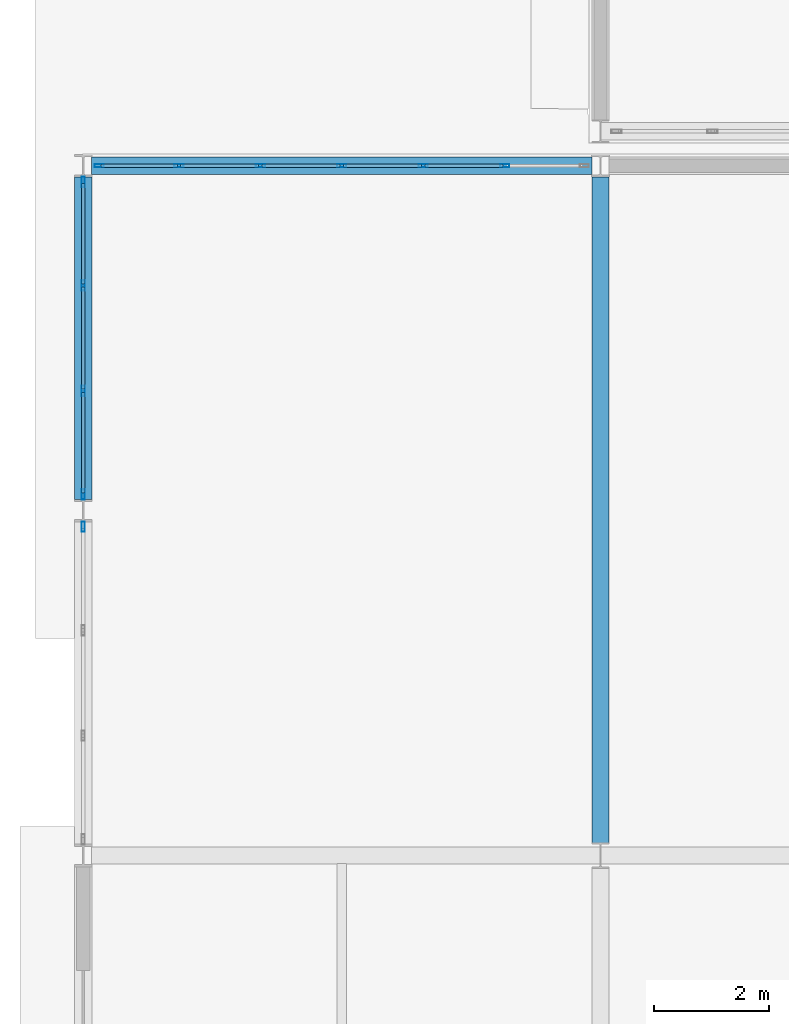
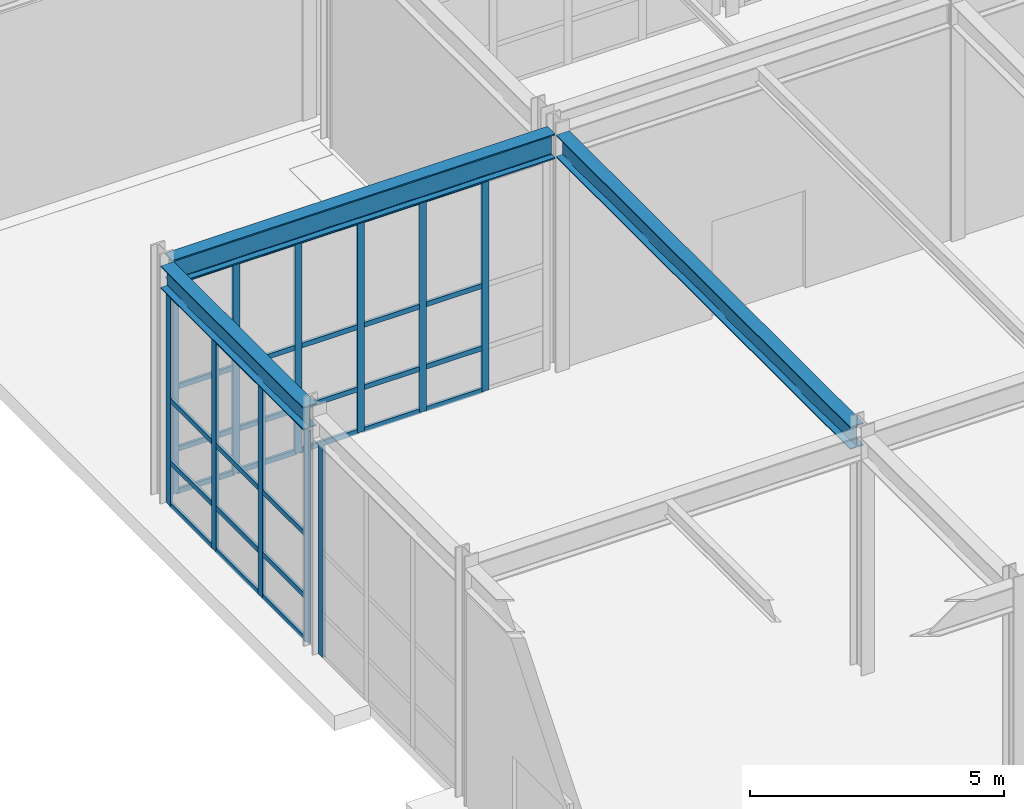
# One storey, part 27 of 146: 43 members, 3 beams, 3 elements without a shape of their own.
"""IFC4 building model written with IfcOpenShell, lengths in metres."""

from ifc_helpers import new_model, si_unit, direction, frame, origin, origin_2d, place, context, subcontext, project, spatial, hollow_rectangle, i_section, extrude, material, material_profile, profile_set, type_object, element, aggregate, save


model = new_model("IFC4")

# Units and contexts
model_context = context("Model", 3, precision=1e-05, world=origin(), true_north=direction((0.0, 1.0)))
body_context = subcontext(model_context, "Body", "Model", "MODEL_VIEW")
ifc_project = project(units=[si_unit("LENGTHUNIT", "METRE"), si_unit("AREAUNIT", "SQUARE_METRE"), si_unit("VOLUMEUNIT", "CUBIC_METRE"), si_unit("PLANEANGLEUNIT", "RADIAN"), si_unit("MASSUNIT", "GRAM", prefix="KILO")], contexts=[model_context])

# Site, building, storey
site_placement = place(None, origin())
site = spatial("IfcSite", under=ifc_project, at=site_placement, CompositionType="ELEMENT")
building_placement = place(site_placement, origin())
building = spatial("IfcBuilding", under=site, at=building_placement, Name="Kaldris Quays Convention Centre", CompositionType="ELEMENT")
storey_placement = place(building_placement, origin())
storey = spatial("IfcBuildingStorey", under=building, at=storey_placement, Name="L00", CompositionType="ELEMENT", Elevation=0.0)

# Curtain wall, members
ifc_material_1 = material(Name="Anodized aluminium AW-6060 and triple glazing", Category="aluminium")
curtain_wall_type_1 = type_object("IfcCurtainWallType", Name="UNITISED CURTAIN WALL CW01", PredefinedType="NOTDEFINED", material=ifc_material_1)
curtain_wall_1_placement = place(storey_placement, origin())
curtain_wall_1 = element("IfcCurtainWall", 1, at=curtain_wall_1_placement, inside=storey, type_object=curtain_wall_type_1, Name="L00 Unitised Curtain Wall CW01 44", PredefinedType="NOTDEFINED")
ifc_material_2 = material(Name="Anodized aluminium AW-6060", Category="aluminium")
ifc_material_profile_1 = material_profile(ifc_material_2, hollow_rectangle(XDim=0.06005859375, YDim=0.159912109375, WallThickness=0.00390625, at=origin_2d()), Name="RHS 160x60x4")
ifc_profile_set_1 = profile_set([ifc_material_profile_1], Name="Anodized aluminium AW-6060")
member_type_1 = type_object("IfcMemberType", Name="CURTAIN MULLION CWM1", PredefinedType="MULLION", material=ifc_profile_set_1)
member_1_placement = place(storey_placement, frame((20.280029296875, 46.0, 0.0), z_axis=(0.0, 0.0, 1.0), x_axis=(0.0, 1.0, 0.0)))
member_1 = element("IfcMember", 2, at=member_1_placement, type_object=member_type_1, Name="CW01 mullion 1", PredefinedType="MULLION", context=body_context, shape_type="SweptSolid", body=[
    extrude(hollow_rectangle(XDim=0.06005859375, YDim=0.159912109375, WallThickness=0.00390625, at=origin_2d()), origin(), (0.0, 0.0, 1.0), 5.097900390625),
])
member_2_placement = place(storey_placement, frame((21.666748046875, 46.0, 0.0), z_axis=(0.0, 0.0, 1.0), x_axis=(0.0, 1.0, 0.0)))
member_2 = element("IfcMember", 3, at=member_2_placement, type_object=member_type_1, Name="CW01 mullion 2", PredefinedType="MULLION", context=body_context, shape_type="SweptSolid", body=[
    extrude(hollow_rectangle(XDim=0.06005859375, YDim=0.159912109375, WallThickness=0.00390625, at=origin_2d()), origin(), (0.0, 0.0, 1.0), 5.097900390625),
])
member_3_placement = place(storey_placement, frame((23.083251953125, 46.0, 0.0), z_axis=(0.0, 0.0, 1.0), x_axis=(0.0, 1.0, 0.0)))
member_3 = element("IfcMember", 4, at=member_3_placement, type_object=member_type_1, Name="CW01 mullion 3", PredefinedType="MULLION", context=body_context, shape_type="SweptSolid", body=[
    extrude(hollow_rectangle(XDim=0.06005859375, YDim=0.159912109375, WallThickness=0.00390625, at=origin_2d()), origin(), (0.0, 0.0, 1.0), 5.097900390625),
])
member_4_placement = place(storey_placement, frame((24.5, 46.0, 0.0), z_axis=(0.0, 0.0, 1.0), x_axis=(0.0, 1.0, 0.0)))
member_4 = element("IfcMember", 5, at=member_4_placement, type_object=member_type_1, Name="CW01 mullion 4", PredefinedType="MULLION", context=body_context, shape_type="SweptSolid", body=[
    extrude(hollow_rectangle(XDim=0.06005859375, YDim=0.159912109375, WallThickness=0.00390625, at=origin_2d()), origin(), (0.0, 0.0, 1.0), 5.097900390625),
])
member_5_placement = place(storey_placement, frame((25.916748046875, 46.0, 0.0), z_axis=(0.0, 0.0, 1.0), x_axis=(0.0, 1.0, 0.0)))
member_5 = element("IfcMember", 6, at=member_5_placement, type_object=member_type_1, Name="CW01 mullion 5", PredefinedType="MULLION", context=body_context, shape_type="SweptSolid", body=[
    extrude(hollow_rectangle(XDim=0.06005859375, YDim=0.159912109375, WallThickness=0.00390625, at=origin_2d()), origin(), (0.0, 0.0, 1.0), 5.097900390625),
])
member_6_placement = place(storey_placement, frame((27.333251953125, 46.0, 0.0), z_axis=(0.0, 0.0, 1.0), x_axis=(0.0, 1.0, 0.0)))
member_6 = element("IfcMember", 7, at=member_6_placement, type_object=member_type_1, Name="CW01 mullion 6", PredefinedType="MULLION", context=body_context, shape_type="SweptSolid", body=[
    extrude(hollow_rectangle(XDim=0.06005859375, YDim=0.159912109375, WallThickness=0.00390625, at=origin_2d()), origin(), (0.0, 0.0, 1.0), 5.097900390625),
])

# Curtain wall, member
curtain_wall_type_2 = type_object("IfcCurtainWallType", Name="UNITISED CURTAIN WALL CW05", PredefinedType="NOTDEFINED", material=ifc_material_1)
curtain_wall_2_placement = place(storey_placement, origin())
curtain_wall_2 = element("IfcCurtainWall", 8, at=curtain_wall_2_placement, inside=storey, type_object=curtain_wall_type_2, Name="L00 Unitised Curtain Wall CW05 55", PredefinedType="NOTDEFINED")
ifc_material_profile_2 = material_profile(ifc_material_2, hollow_rectangle(XDim=0.06005859375, YDim=0.179931640625, WallThickness=0.0048828125, at=origin_2d()), Name="RHS 180x60x5")
ifc_profile_set_2 = profile_set([ifc_material_profile_2], Name="Anodized aluminium AW-6060")
member_type_2 = type_object("IfcMemberType", Name="CURTAIN MULLION CWM2", PredefinedType="MULLION", material=ifc_profile_set_2)
member_7_placement = place(storey_placement, frame((20.0, 39.719970703125, 0.0), z_axis=(0.0, 0.0, 1.0), x_axis=(-1.0, 0.0, 0.0)))
member_7 = element("IfcMember", 9, at=member_7_placement, type_object=member_type_2, Name="CW05 mullion 4", PredefinedType="MULLION", context=body_context, shape_type="SweptSolid", body=[
    extrude(hollow_rectangle(XDim=0.06005859375, YDim=0.179931640625, WallThickness=0.0048828125, at=origin_2d()), origin(), (0.0, 0.0, 1.0), 5.097900390625),
])
aggregate(curtain_wall_2, [member_7])

# Curtain wall, members
curtain_wall_3_placement = place(storey_placement, origin())
curtain_wall_3 = element("IfcCurtainWall", 10, at=curtain_wall_3_placement, inside=storey, type_object=curtain_wall_type_2, Name="L00 Unitised Curtain Wall CW05 57", PredefinedType="NOTDEFINED")
member_8_placement = place(storey_placement, frame((20.0, 40.280029296875, 0.0), z_axis=(0.0, 0.0, 1.0), x_axis=(-1.0, 0.0, 0.0)))
member_8 = element("IfcMember", 11, at=member_8_placement, type_object=member_type_2, Name="CW05 mullion 1", PredefinedType="MULLION", context=body_context, shape_type="SweptSolid", body=[
    extrude(hollow_rectangle(XDim=0.06005859375, YDim=0.179931640625, WallThickness=0.0048828125, at=origin_2d()), origin(), (0.0, 0.0, 1.0), 5.097900390625),
])
member_9_placement = place(storey_placement, frame((20.0, 42.083251953125, 0.0), z_axis=(0.0, 0.0, 1.0), x_axis=(-1.0, 0.0, 0.0)))
member_9 = element("IfcMember", 12, at=member_9_placement, type_object=member_type_2, Name="CW05 mullion 2", PredefinedType="MULLION", context=body_context, shape_type="SweptSolid", body=[
    extrude(hollow_rectangle(XDim=0.06005859375, YDim=0.179931640625, WallThickness=0.0048828125, at=origin_2d()), origin(), (0.0, 0.0, 1.0), 5.097900390625),
])
member_10_placement = place(storey_placement, frame((20.0, 43.916748046875, 0.0), z_axis=(0.0, 0.0, 1.0), x_axis=(-1.0, 0.0, 0.0)))
member_10 = element("IfcMember", 13, at=member_10_placement, type_object=member_type_2, Name="CW05 mullion 3", PredefinedType="MULLION", context=body_context, shape_type="SweptSolid", body=[
    extrude(hollow_rectangle(XDim=0.06005859375, YDim=0.179931640625, WallThickness=0.0048828125, at=origin_2d()), origin(), (0.0, 0.0, 1.0), 5.097900390625),
])
member_11_placement = place(storey_placement, frame((20.0, 45.719970703125, 0.0), z_axis=(0.0, 0.0, 1.0), x_axis=(-1.0, 0.0, 0.0)))
member_11 = element("IfcMember", 14, at=member_11_placement, type_object=member_type_2, Name="CW05 mullion 4", PredefinedType="MULLION", context=body_context, shape_type="SweptSolid", body=[
    extrude(hollow_rectangle(XDim=0.06005859375, YDim=0.179931640625, WallThickness=0.0048828125, at=origin_2d()), origin(), (0.0, 0.0, 1.0), 5.097900390625),
])

# Member
ifc_material_profile_3 = material_profile(ifc_material_2, hollow_rectangle(XDim=0.06005859375, YDim=0.1201171875, WallThickness=0.00390625, at=origin_2d()), Name="RHS 120x60x4")
ifc_profile_set_3 = profile_set([ifc_material_profile_3], Name="Anodized aluminium AW-6060")
member_type_3 = type_object("IfcMemberType", Name="CURTAIN TRANSOM CWT1", PredefinedType="USERDEFINED", material=ifc_profile_set_3)
member_12_placement = place(storey_placement, frame((20.31005859375, 46.0, 0.030029296875), z_axis=(1.0, 0.0, 0.0), x_axis=(0.0, 1.0, 0.0)))
member_12 = element("IfcMember", 15, at=member_12_placement, type_object=member_type_3, Name="CW01 transom 1.1", ObjectType="TRANSOM", PredefinedType="USERDEFINED", context=body_context, shape_type="SweptSolid", body=[
    extrude(hollow_rectangle(XDim=0.06005859375, YDim=0.1201171875, WallThickness=0.00390625, at=origin_2d()), origin(), (0.0, 0.0, 1.0), 1.32666015625),
])

member_13_placement = place(storey_placement, frame((20.31005859375, 46.0, 1.050048828125), z_axis=(1.0, 0.0, 0.0), x_axis=(0.0, 1.0, 0.0)))
member_13 = element("IfcMember", 16, at=member_13_placement, type_object=member_type_3, Name="CW01 transom 1.2", ObjectType="TRANSOM", PredefinedType="USERDEFINED", context=body_context, shape_type="SweptSolid", body=[
    extrude(hollow_rectangle(XDim=0.06005859375, YDim=0.1201171875, WallThickness=0.00390625, at=origin_2d()), origin(), (0.0, 0.0, 1.0), 1.32666015625),
])

member_14_placement = place(storey_placement, frame((20.31005859375, 46.0, 2.549072265625), z_axis=(1.0, 0.0, 0.0), x_axis=(0.0, 1.0, 0.0)))
member_14 = element("IfcMember", 17, at=member_14_placement, type_object=member_type_3, Name="CW01 transom 1.3", ObjectType="TRANSOM", PredefinedType="USERDEFINED", context=body_context, shape_type="SweptSolid", body=[
    extrude(hollow_rectangle(XDim=0.06005859375, YDim=0.1201171875, WallThickness=0.00390625, at=origin_2d()), origin(), (0.0, 0.0, 1.0), 1.32666015625),
])

member_15_placement = place(storey_placement, frame((20.31005859375, 46.0, 5.068115234375), z_axis=(1.0, 0.0, 0.0), x_axis=(0.0, 1.0, 0.0)))
member_15 = element("IfcMember", 18, at=member_15_placement, type_object=member_type_3, Name="CW01 transom 1.4", ObjectType="TRANSOM", PredefinedType="USERDEFINED", context=body_context, shape_type="SweptSolid", body=[
    extrude(hollow_rectangle(XDim=0.06005859375, YDim=0.1201171875, WallThickness=0.00390625, at=origin_2d()), origin(), (0.0, 0.0, 1.0), 1.32666015625),
])

member_16_placement = place(storey_placement, frame((21.69677734375, 46.0, 0.030029296875), z_axis=(1.0, 0.0, 0.0), x_axis=(0.0, 1.0, 0.0)))
member_16 = element("IfcMember", 19, at=member_16_placement, type_object=member_type_3, Name="CW01 transom 2.1", ObjectType="TRANSOM", PredefinedType="USERDEFINED", context=body_context, shape_type="SweptSolid", body=[
    extrude(hollow_rectangle(XDim=0.06005859375, YDim=0.1201171875, WallThickness=0.00390625, at=origin_2d()), origin(), (0.0, 0.0, 1.0), 1.3564453125),
])

member_17_placement = place(storey_placement, frame((21.69677734375, 46.0, 1.050048828125), z_axis=(1.0, 0.0, 0.0), x_axis=(0.0, 1.0, 0.0)))
member_17 = element("IfcMember", 20, at=member_17_placement, type_object=member_type_3, Name="CW01 transom 2.2", ObjectType="TRANSOM", PredefinedType="USERDEFINED", context=body_context, shape_type="SweptSolid", body=[
    extrude(hollow_rectangle(XDim=0.06005859375, YDim=0.1201171875, WallThickness=0.00390625, at=origin_2d()), origin(), (0.0, 0.0, 1.0), 1.3564453125),
])

member_18_placement = place(storey_placement, frame((21.69677734375, 46.0, 2.549072265625), z_axis=(1.0, 0.0, 0.0), x_axis=(0.0, 1.0, 0.0)))
member_18 = element("IfcMember", 21, at=member_18_placement, type_object=member_type_3, Name="CW01 transom 2.3", ObjectType="TRANSOM", PredefinedType="USERDEFINED", context=body_context, shape_type="SweptSolid", body=[
    extrude(hollow_rectangle(XDim=0.06005859375, YDim=0.1201171875, WallThickness=0.00390625, at=origin_2d()), origin(), (0.0, 0.0, 1.0), 1.3564453125),
])

member_19_placement = place(storey_placement, frame((21.69677734375, 46.0, 5.068115234375), z_axis=(1.0, 0.0, 0.0), x_axis=(0.0, 1.0, 0.0)))
member_19 = element("IfcMember", 22, at=member_19_placement, type_object=member_type_3, Name="CW01 transom 2.4", ObjectType="TRANSOM", PredefinedType="USERDEFINED", context=body_context, shape_type="SweptSolid", body=[
    extrude(hollow_rectangle(XDim=0.06005859375, YDim=0.1201171875, WallThickness=0.00390625, at=origin_2d()), origin(), (0.0, 0.0, 1.0), 1.3564453125),
])

member_20_placement = place(storey_placement, frame((23.11328125, 46.0, 0.030029296875), z_axis=(1.0, 0.0, 0.0), x_axis=(0.0, 1.0, 0.0)))
member_20 = element("IfcMember", 23, at=member_20_placement, type_object=member_type_3, Name="CW01 transom 3.1", ObjectType="TRANSOM", PredefinedType="USERDEFINED", context=body_context, shape_type="SweptSolid", body=[
    extrude(hollow_rectangle(XDim=0.06005859375, YDim=0.1201171875, WallThickness=0.00390625, at=origin_2d()), origin(), (0.0, 0.0, 1.0), 1.356689453125),
])

member_21_placement = place(storey_placement, frame((23.11328125, 46.0, 1.050048828125), z_axis=(1.0, 0.0, 0.0), x_axis=(0.0, 1.0, 0.0)))
member_21 = element("IfcMember", 24, at=member_21_placement, type_object=member_type_3, Name="CW01 transom 3.2", ObjectType="TRANSOM", PredefinedType="USERDEFINED", context=body_context, shape_type="SweptSolid", body=[
    extrude(hollow_rectangle(XDim=0.06005859375, YDim=0.1201171875, WallThickness=0.00390625, at=origin_2d()), origin(), (0.0, 0.0, 1.0), 1.356689453125),
])

member_22_placement = place(storey_placement, frame((23.11328125, 46.0, 2.549072265625), z_axis=(1.0, 0.0, 0.0), x_axis=(0.0, 1.0, 0.0)))
member_22 = element("IfcMember", 25, at=member_22_placement, type_object=member_type_3, Name="CW01 transom 3.3", ObjectType="TRANSOM", PredefinedType="USERDEFINED", context=body_context, shape_type="SweptSolid", body=[
    extrude(hollow_rectangle(XDim=0.06005859375, YDim=0.1201171875, WallThickness=0.00390625, at=origin_2d()), origin(), (0.0, 0.0, 1.0), 1.356689453125),
])

member_23_placement = place(storey_placement, frame((23.11328125, 46.0, 5.068115234375), z_axis=(1.0, 0.0, 0.0), x_axis=(0.0, 1.0, 0.0)))
member_23 = element("IfcMember", 26, at=member_23_placement, type_object=member_type_3, Name="CW01 transom 3.4", ObjectType="TRANSOM", PredefinedType="USERDEFINED", context=body_context, shape_type="SweptSolid", body=[
    extrude(hollow_rectangle(XDim=0.06005859375, YDim=0.1201171875, WallThickness=0.00390625, at=origin_2d()), origin(), (0.0, 0.0, 1.0), 1.356689453125),
])

member_24_placement = place(storey_placement, frame((24.530029296875, 46.0, 0.030029296875), z_axis=(1.0, 0.0, 0.0), x_axis=(0.0, 1.0, 0.0)))
member_24 = element("IfcMember", 27, at=member_24_placement, type_object=member_type_3, Name="CW01 transom 4.1", ObjectType="TRANSOM", PredefinedType="USERDEFINED", context=body_context, shape_type="SweptSolid", body=[
    extrude(hollow_rectangle(XDim=0.06005859375, YDim=0.1201171875, WallThickness=0.00390625, at=origin_2d()), origin(), (0.0, 0.0, 1.0), 1.356689453125),
])

member_25_placement = place(storey_placement, frame((24.530029296875, 46.0, 1.050048828125), z_axis=(1.0, 0.0, 0.0), x_axis=(0.0, 1.0, 0.0)))
member_25 = element("IfcMember", 28, at=member_25_placement, type_object=member_type_3, Name="CW01 transom 4.2", ObjectType="TRANSOM", PredefinedType="USERDEFINED", context=body_context, shape_type="SweptSolid", body=[
    extrude(hollow_rectangle(XDim=0.06005859375, YDim=0.1201171875, WallThickness=0.00390625, at=origin_2d()), origin(), (0.0, 0.0, 1.0), 1.356689453125),
])

member_26_placement = place(storey_placement, frame((24.530029296875, 46.0, 2.549072265625), z_axis=(1.0, 0.0, 0.0), x_axis=(0.0, 1.0, 0.0)))
member_26 = element("IfcMember", 29, at=member_26_placement, type_object=member_type_3, Name="CW01 transom 4.3", ObjectType="TRANSOM", PredefinedType="USERDEFINED", context=body_context, shape_type="SweptSolid", body=[
    extrude(hollow_rectangle(XDim=0.06005859375, YDim=0.1201171875, WallThickness=0.00390625, at=origin_2d()), origin(), (0.0, 0.0, 1.0), 1.356689453125),
])

member_27_placement = place(storey_placement, frame((24.530029296875, 46.0, 5.068115234375), z_axis=(1.0, 0.0, 0.0), x_axis=(0.0, 1.0, 0.0)))
member_27 = element("IfcMember", 30, at=member_27_placement, type_object=member_type_3, Name="CW01 transom 4.4", ObjectType="TRANSOM", PredefinedType="USERDEFINED", context=body_context, shape_type="SweptSolid", body=[
    extrude(hollow_rectangle(XDim=0.06005859375, YDim=0.1201171875, WallThickness=0.00390625, at=origin_2d()), origin(), (0.0, 0.0, 1.0), 1.356689453125),
])

member_28_placement = place(storey_placement, frame((25.94677734375, 46.0, 0.030029296875), z_axis=(1.0, 0.0, 0.0), x_axis=(0.0, 1.0, 0.0)))
member_28 = element("IfcMember", 31, at=member_28_placement, type_object=member_type_3, Name="CW01 transom 5.1", ObjectType="TRANSOM", PredefinedType="USERDEFINED", context=body_context, shape_type="SweptSolid", body=[
    extrude(hollow_rectangle(XDim=0.06005859375, YDim=0.1201171875, WallThickness=0.00390625, at=origin_2d()), origin(), (0.0, 0.0, 1.0), 1.3564453125),
])

member_29_placement = place(storey_placement, frame((25.94677734375, 46.0, 1.050048828125), z_axis=(1.0, 0.0, 0.0), x_axis=(0.0, 1.0, 0.0)))
member_29 = element("IfcMember", 32, at=member_29_placement, type_object=member_type_3, Name="CW01 transom 5.2", ObjectType="TRANSOM", PredefinedType="USERDEFINED", context=body_context, shape_type="SweptSolid", body=[
    extrude(hollow_rectangle(XDim=0.06005859375, YDim=0.1201171875, WallThickness=0.00390625, at=origin_2d()), origin(), (0.0, 0.0, 1.0), 1.3564453125),
])

member_30_placement = place(storey_placement, frame((25.94677734375, 46.0, 2.549072265625), z_axis=(1.0, 0.0, 0.0), x_axis=(0.0, 1.0, 0.0)))
member_30 = element("IfcMember", 33, at=member_30_placement, type_object=member_type_3, Name="CW01 transom 5.3", ObjectType="TRANSOM", PredefinedType="USERDEFINED", context=body_context, shape_type="SweptSolid", body=[
    extrude(hollow_rectangle(XDim=0.06005859375, YDim=0.1201171875, WallThickness=0.00390625, at=origin_2d()), origin(), (0.0, 0.0, 1.0), 1.3564453125),
])

member_31_placement = place(storey_placement, frame((25.94677734375, 46.0, 5.068115234375), z_axis=(1.0, 0.0, 0.0), x_axis=(0.0, 1.0, 0.0)))
member_31 = element("IfcMember", 34, at=member_31_placement, type_object=member_type_3, Name="CW01 transom 5.4", ObjectType="TRANSOM", PredefinedType="USERDEFINED", context=body_context, shape_type="SweptSolid", body=[
    extrude(hollow_rectangle(XDim=0.06005859375, YDim=0.1201171875, WallThickness=0.00390625, at=origin_2d()), origin(), (0.0, 0.0, 1.0), 1.3564453125),
])

aggregate(curtain_wall_1, [member_1, member_2, member_3, member_4, member_5, member_6, member_12, member_13, member_14, member_15, member_16, member_17, member_18, member_19, member_20, member_21, member_22, member_23, member_24, member_25, member_26, member_27, member_28, member_29, member_30, member_31])

member_32_placement = place(storey_placement, frame((20.0, 40.31005859375, 0.030029296875), z_axis=(0.0, 1.0, 0.0), x_axis=(-1.0, 0.0, 0.0)))
member_32 = element("IfcMember", 35, at=member_32_placement, type_object=member_type_3, Name="CW05 transom 1.1", ObjectType="TRANSOM", PredefinedType="USERDEFINED", context=body_context, shape_type="SweptSolid", body=[
    extrude(hollow_rectangle(XDim=0.06005859375, YDim=0.1201171875, WallThickness=0.00390625, at=origin_2d()), origin(), (0.0, 0.0, 1.0), 1.7431640625),
])

member_33_placement = place(storey_placement, frame((20.0, 40.31005859375, 1.050048828125), z_axis=(0.0, 1.0, 0.0), x_axis=(-1.0, 0.0, 0.0)))
member_33 = element("IfcMember", 36, at=member_33_placement, type_object=member_type_3, Name="CW05 transom 1.2", ObjectType="TRANSOM", PredefinedType="USERDEFINED", context=body_context, shape_type="SweptSolid", body=[
    extrude(hollow_rectangle(XDim=0.06005859375, YDim=0.1201171875, WallThickness=0.00390625, at=origin_2d()), origin(), (0.0, 0.0, 1.0), 1.7431640625),
])

member_34_placement = place(storey_placement, frame((20.0, 40.31005859375, 2.549072265625), z_axis=(0.0, 1.0, 0.0), x_axis=(-1.0, 0.0, 0.0)))
member_34 = element("IfcMember", 37, at=member_34_placement, type_object=member_type_3, Name="CW05 transom 1.3", ObjectType="TRANSOM", PredefinedType="USERDEFINED", context=body_context, shape_type="SweptSolid", body=[
    extrude(hollow_rectangle(XDim=0.06005859375, YDim=0.1201171875, WallThickness=0.00390625, at=origin_2d()), origin(), (0.0, 0.0, 1.0), 1.7431640625),
])

member_35_placement = place(storey_placement, frame((20.0, 40.31005859375, 5.068115234375), z_axis=(0.0, 1.0, 0.0), x_axis=(-1.0, 0.0, 0.0)))
member_35 = element("IfcMember", 38, at=member_35_placement, type_object=member_type_3, Name="CW05 transom 1.4", ObjectType="TRANSOM", PredefinedType="USERDEFINED", context=body_context, shape_type="SweptSolid", body=[
    extrude(hollow_rectangle(XDim=0.06005859375, YDim=0.1201171875, WallThickness=0.00390625, at=origin_2d()), origin(), (0.0, 0.0, 1.0), 1.7431640625),
])

member_36_placement = place(storey_placement, frame((20.0, 42.11328125, 0.030029296875), z_axis=(0.0, 1.0, 0.0), x_axis=(-1.0, 0.0, 0.0)))
member_36 = element("IfcMember", 39, at=member_36_placement, type_object=member_type_3, Name="CW05 transom 2.1", ObjectType="TRANSOM", PredefinedType="USERDEFINED", context=body_context, shape_type="SweptSolid", body=[
    extrude(hollow_rectangle(XDim=0.06005859375, YDim=0.1201171875, WallThickness=0.00390625, at=origin_2d()), origin(), (0.0, 0.0, 1.0), 1.7734375),
])

member_37_placement = place(storey_placement, frame((20.0, 42.11328125, 1.050048828125), z_axis=(0.0, 1.0, 0.0), x_axis=(-1.0, 0.0, 0.0)))
member_37 = element("IfcMember", 40, at=member_37_placement, type_object=member_type_3, Name="CW05 transom 2.2", ObjectType="TRANSOM", PredefinedType="USERDEFINED", context=body_context, shape_type="SweptSolid", body=[
    extrude(hollow_rectangle(XDim=0.06005859375, YDim=0.1201171875, WallThickness=0.00390625, at=origin_2d()), origin(), (0.0, 0.0, 1.0), 1.7734375),
])

member_38_placement = place(storey_placement, frame((20.0, 42.11328125, 2.549072265625), z_axis=(0.0, 1.0, 0.0), x_axis=(-1.0, 0.0, 0.0)))
member_38 = element("IfcMember", 41, at=member_38_placement, type_object=member_type_3, Name="CW05 transom 2.3", ObjectType="TRANSOM", PredefinedType="USERDEFINED", context=body_context, shape_type="SweptSolid", body=[
    extrude(hollow_rectangle(XDim=0.06005859375, YDim=0.1201171875, WallThickness=0.00390625, at=origin_2d()), origin(), (0.0, 0.0, 1.0), 1.7734375),
])

member_39_placement = place(storey_placement, frame((20.0, 42.11328125, 5.068115234375), z_axis=(0.0, 1.0, 0.0), x_axis=(-1.0, 0.0, 0.0)))
member_39 = element("IfcMember", 42, at=member_39_placement, type_object=member_type_3, Name="CW05 transom 2.4", ObjectType="TRANSOM", PredefinedType="USERDEFINED", context=body_context, shape_type="SweptSolid", body=[
    extrude(hollow_rectangle(XDim=0.06005859375, YDim=0.1201171875, WallThickness=0.00390625, at=origin_2d()), origin(), (0.0, 0.0, 1.0), 1.7734375),
])

member_40_placement = place(storey_placement, frame((20.0, 43.94677734375, 0.030029296875), z_axis=(0.0, 1.0, 0.0), x_axis=(-1.0, 0.0, 0.0)))
member_40 = element("IfcMember", 43, at=member_40_placement, type_object=member_type_3, Name="CW05 transom 3.1", ObjectType="TRANSOM", PredefinedType="USERDEFINED", context=body_context, shape_type="SweptSolid", body=[
    extrude(hollow_rectangle(XDim=0.06005859375, YDim=0.1201171875, WallThickness=0.00390625, at=origin_2d()), origin(), (0.0, 0.0, 1.0), 1.7431640625),
])

member_41_placement = place(storey_placement, frame((20.0, 43.94677734375, 1.050048828125), z_axis=(0.0, 1.0, 0.0), x_axis=(-1.0, 0.0, 0.0)))
member_41 = element("IfcMember", 44, at=member_41_placement, type_object=member_type_3, Name="CW05 transom 3.2", ObjectType="TRANSOM", PredefinedType="USERDEFINED", context=body_context, shape_type="SweptSolid", body=[
    extrude(hollow_rectangle(XDim=0.06005859375, YDim=0.1201171875, WallThickness=0.00390625, at=origin_2d()), origin(), (0.0, 0.0, 1.0), 1.7431640625),
])

member_42_placement = place(storey_placement, frame((20.0, 43.94677734375, 2.549072265625), z_axis=(0.0, 1.0, 0.0), x_axis=(-1.0, 0.0, 0.0)))
member_42 = element("IfcMember", 45, at=member_42_placement, type_object=member_type_3, Name="CW05 transom 3.3", ObjectType="TRANSOM", PredefinedType="USERDEFINED", context=body_context, shape_type="SweptSolid", body=[
    extrude(hollow_rectangle(XDim=0.06005859375, YDim=0.1201171875, WallThickness=0.00390625, at=origin_2d()), origin(), (0.0, 0.0, 1.0), 1.7431640625),
])

member_43_placement = place(storey_placement, frame((20.0, 43.94677734375, 5.068115234375), z_axis=(0.0, 1.0, 0.0), x_axis=(-1.0, 0.0, 0.0)))
member_43 = element("IfcMember", 46, at=member_43_placement, type_object=member_type_3, Name="CW05 transom 3.4", ObjectType="TRANSOM", PredefinedType="USERDEFINED", context=body_context, shape_type="SweptSolid", body=[
    extrude(hollow_rectangle(XDim=0.06005859375, YDim=0.1201171875, WallThickness=0.00390625, at=origin_2d()), origin(), (0.0, 0.0, 1.0), 1.7431640625),
])

aggregate(curtain_wall_3, [member_8, member_9, member_10, member_11, member_32, member_33, member_34, member_35, member_36, member_37, member_38, member_39, member_40, member_41, member_42, member_43])

# Beams
ifc_material_3 = material(Name="Steel S355J2", Category="steel")
ifc_material_profile_4 = material_profile(ifc_material_3, i_section(OverallWidth=0.300048828125, OverallDepth=0.60009765625, WebThickness=0.015380859375, FlangeThickness=0.030029296875, FilletRadius=0.027099609375, at=origin_2d()), Name="HEB 600")
ifc_profile_set_4 = profile_set([ifc_material_profile_4], Name="Steel S355J2")
beam_type_1 = type_object("IfcBeamType", Name="STRUCTURAL BEAM BM05", PredefinedType="BEAM", material=ifc_profile_set_4)
beam_1_placement = place(storey_placement, frame((20.14794921875, 46.0, 5.423095703125), z_axis=(1.0, 0.0, 0.0), x_axis=(0.0, 1.0, 0.0)))
element("IfcBeam", 47, at=beam_1_placement, inside=storey, type_object=beam_type_1, Name="L00 Girder BM05 20", PredefinedType="BEAM", context=body_context, shape_type="SweptSolid", body=[
    extrude(i_section(OverallWidth=0.300048828125, OverallDepth=0.60009765625, WebThickness=0.015380859375, FlangeThickness=0.030029296875, FilletRadius=0.027099609375, at=origin_2d()), origin(), (0.0, 0.0, 1.0), 8.7041015625),
])
ifc_material_profile_5 = material_profile(ifc_material_3, i_section(OverallWidth=0.300048828125, OverallDepth=0.5400390625, WebThickness=0.012451171875, FlangeThickness=0.02392578125, FilletRadius=0.027099609375, at=origin_2d()), Name="HEA 550")
ifc_profile_set_5 = profile_set([ifc_material_profile_5], Name="Steel S355J2")
beam_type_2 = type_object("IfcBeamType", Name="STRUCTURAL BEAM BM13", PredefinedType="BEAM", material=ifc_profile_set_5)
beam_2_placement = place(storey_placement, frame((20.0, 40.19140625, 5.452880859375), z_axis=(0.0, 1.0, 0.0), x_axis=(-1.0, 0.0, 0.0)))
element("IfcBeam", 48, at=beam_2_placement, inside=storey, type_object=beam_type_2, Name="L00 Girder BM13 31", PredefinedType="BEAM", context=body_context, shape_type="SweptSolid", body=[
    extrude(i_section(OverallWidth=0.300048828125, OverallDepth=0.5400390625, WebThickness=0.012451171875, FlangeThickness=0.02392578125, FilletRadius=0.027099609375, at=origin_2d()), origin(), (0.0, 0.0, 1.0), 5.6171875),
])
beam_3_placement = place(storey_placement, frame((29.0, 34.218994140625, 5.452880859375), z_axis=(0.0, 1.0, 0.0), x_axis=(-1.0, 0.0, 0.0)))
element("IfcBeam", 49, at=beam_3_placement, inside=storey, type_object=beam_type_2, Name="L00 Girder BM13 33", PredefinedType="BEAM", context=body_context, shape_type="SweptSolid", body=[
    extrude(i_section(OverallWidth=0.300048828125, OverallDepth=0.5400390625, WebThickness=0.012451171875, FlangeThickness=0.02392578125, FilletRadius=0.027099609375, at=origin_2d()), origin(), (0.0, 0.0, 1.0), 11.589599609375),
])

save(model, "model.ifc")
